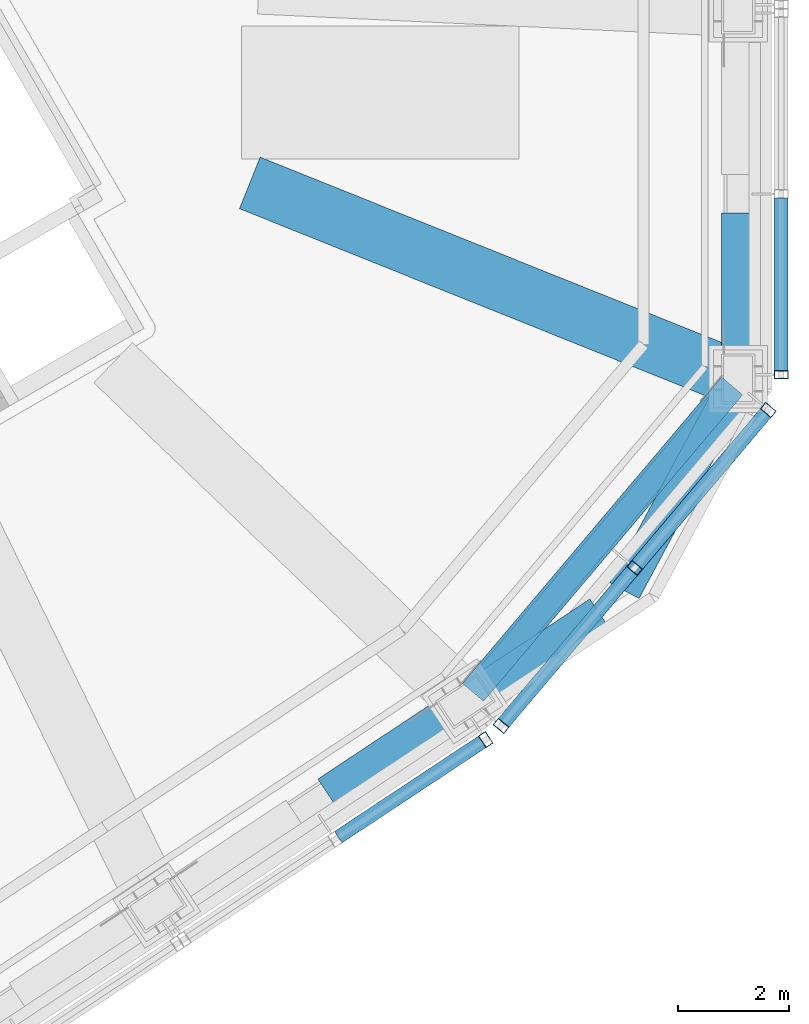
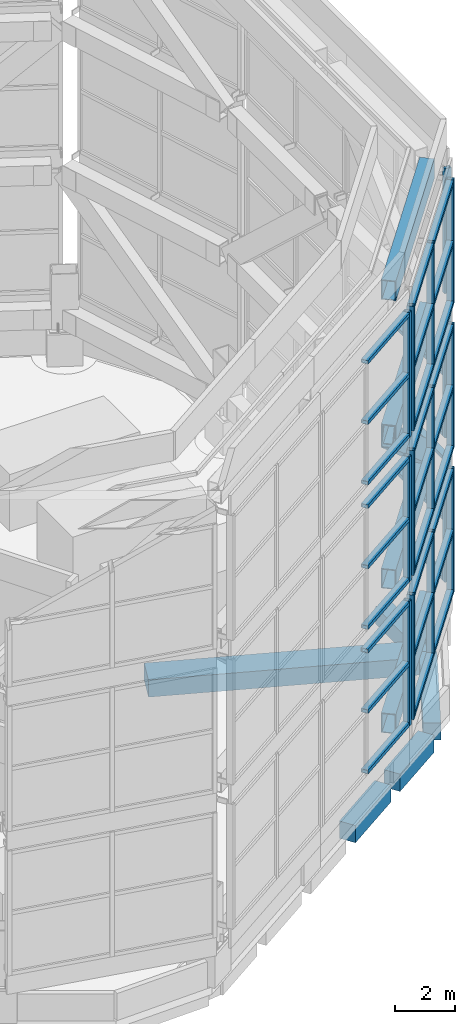
# One storey, part 9 of 46: 52 members, 5 beams, 9 elements without a shape of their own.
"""IFC4 building model written with IfcOpenShell, lengths in metres."""

import ifcopenshell
import ifcopenshell.guid

model = None  # the IFC model being written
_history = None  # IfcOwnerHistory: only IFC2X3 demands one
_inside = {}  # id of a spatial element -> (the spatial element, [elements in it])
_under = {}  # id of a project, library or spatial element -> (it, [spatial elements below it])
_declared = {}  # id of a project -> (the project, [libraries it declares])
_typed = {}  # id of a type object -> (the type object, [elements of that type])
_made_of = {}  # id of a material, layer set ... -> (it, [elements and type objects made of it])


def new_model(schema):
    """Start an empty IFC model of exactly this schema.

    Asked for "IFC4X3", IfcOpenShell would pick the latest addendum, in which some entities
    have other attributes; the version numbers below select the first issue.
    IFC2X3 requires an IfcOwnerHistory on every rooted entity: one is made here for all.
    """
    global model, _history
    if schema == "IFC4X3":
        model = ifcopenshell.file(schema_version=(4, 3, 0, 0))
    else:
        model = ifcopenshell.file(schema=schema)
    _inside.clear()
    _under.clear()
    _declared.clear()
    _typed.clear()
    _made_of.clear()
    _history = None
    if model.schema == "IFC2X3":
        org = make("IfcOrganization", Name="unknown")
        user = make(
            "IfcPersonAndOrganization",
            ThePerson=make("IfcPerson", FamilyName="unknown"),
            TheOrganization=org,
        )
        app = make(
            "IfcApplication",
            ApplicationDeveloper=org,
            Version="unknown",
            ApplicationFullName="unknown",
            ApplicationIdentifier="unknown",
        )
        _history = make(
            "IfcOwnerHistory",
            OwningUser=user,
            OwningApplication=app,
            ChangeAction="ADDED",
            CreationDate=0,
        )
    return model


def make(cls, **values):
    """One entity of the class cls with the attributes given. An attribute that is None is left unset."""
    return model.create_entity(
        cls, **{name: value for name, value in values.items() if value is not None}
    )


def rooted(cls, **values):
    """An entity with a GlobalId (a new one), such as an element, a storey or a relation."""
    return make(cls, GlobalId=ifcopenshell.guid.new(), OwnerHistory=_history, **values)


def si_unit(unit_type, name, prefix=None):
    """IfcSIUnit, for example si_unit("LENGTHUNIT", "METRE", prefix="MILLI")."""
    return make("IfcSIUnit", UnitType=unit_type, Prefix=prefix, Name=name)


def assignment(units):
    """IfcUnitAssignment: the units of a project."""
    return None if units is None else make("IfcUnitAssignment", Units=units)


def point(xyz):
    """IfcCartesianPoint."""
    return None if xyz is None else make("IfcCartesianPoint", Coordinates=xyz)


def direction(xyz):
    """IfcDirection."""
    return None if xyz is None else make("IfcDirection", DirectionRatios=xyz)


def frame(location, z_axis=None, x_axis=None):
    """IfcAxis2Placement3D, a coordinate frame: its origin and axes. An axis left out is left unset."""
    return make(
        "IfcAxis2Placement3D",
        Location=point(location),
        Axis=direction(z_axis),
        RefDirection=direction(x_axis),
    )


def frame_2d(location, x_axis=None):
    """IfcAxis2Placement2D, a coordinate frame in the plane: its origin and x axis."""
    return make(
        "IfcAxis2Placement2D", Location=point(location), RefDirection=direction(x_axis)
    )


def origin():
    """The frame at (0, 0, 0) with its axes left unset."""
    return frame((0.0, 0.0, 0.0))


def origin_2d():
    """The frame at (0, 0) in the plane with its x axis left unset."""
    return frame_2d((0.0, 0.0))


def place(relative_to, where):
    """IfcLocalPlacement: puts the frame where relative to a parent placement (None: the world)."""
    return make(
        "IfcLocalPlacement", PlacementRelTo=relative_to, RelativePlacement=where
    )


def context(
    kind, dimensions, precision=None, world=None, true_north=None, identifier=None
):
    """IfcGeometricRepresentationContext, for example the 3D "Model" context."""
    return make(
        "IfcGeometricRepresentationContext",
        ContextIdentifier=identifier,
        ContextType=kind,
        CoordinateSpaceDimension=dimensions,
        Precision=precision,
        WorldCoordinateSystem=world,
        TrueNorth=true_north,
    )


def subcontext(parent, identifier, kind, view, scale=None):
    """IfcGeometricRepresentationSubContext, for example "Body" below "Model"."""
    return make(
        "IfcGeometricRepresentationSubContext",
        ContextIdentifier=identifier,
        ContextType=kind,
        ParentContext=parent,
        TargetScale=scale,
        TargetView=view,
    )


def project(units=None, contexts=None):
    """IfcProject with its units and contexts."""
    return rooted(
        "IfcProject",
        Name="project",
        RepresentationContexts=contexts,
        UnitsInContext=assignment(units),
    )


def spatial(cls, under=None, at=None, **own):
    """A site, building, storey or space (cls), placed at a placement, below another one or the project."""
    s = rooted(cls, ObjectPlacement=at, **own)
    if under is not None:
        _under.setdefault(under.id(), (under, []))[1].append(s)
    return s


def profile(cls, at=None, kind="AREA", **sizes):
    """A parametric profile (cls). Its sizes go by their IFC names, for example OverallWidth=200.0."""
    return make(cls, ProfileType=kind, Position=at, **sizes)


def rectangle(**sizes):
    """IfcRectangleProfileDef."""
    return profile("IfcRectangleProfileDef", **sizes)


def hollow_rectangle(**sizes):
    """IfcRectangleHollowProfileDef."""
    return profile("IfcRectangleHollowProfileDef", **sizes)


def extrude(swept, where, along, depth):
    """IfcExtrudedAreaSolid: the profile swept, set in the frame where, extruded along a direction by depth."""
    return make(
        "IfcExtrudedAreaSolid",
        SweptArea=swept,
        Position=where,
        ExtrudedDirection=direction(along),
        Depth=depth,
    )


def shape(context_of_items, identifier, shape_type, items):
    """IfcShapeRepresentation: the items that make up one representation, for example the "Body"."""
    return make(
        "IfcShapeRepresentation",
        ContextOfItems=context_of_items,
        RepresentationIdentifier=identifier,
        RepresentationType=shape_type,
        Items=items,
    )


def material(Name=None, Category=None):
    """IfcMaterial."""
    return make("IfcMaterial", Name=Name, Category=Category)


def material_profile(
    of_material, cross_section, Name=None, Category=None, Priority=None
):
    """IfcMaterialProfile: a cross section and its material."""
    return make(
        "IfcMaterialProfile",
        Name=Name,
        Material=of_material,
        Profile=cross_section,
        Priority=Priority,
        Category=Category,
    )


def profile_set(profiles, Name=None, composite=None):
    """IfcMaterialProfileSet."""
    return make(
        "IfcMaterialProfileSet",
        Name=Name,
        MaterialProfiles=profiles,
        CompositeProfile=composite,
    )


def made_of(thing, what):
    """Note that an element or type object is made of a material, layer set ...; save() writes the relation."""
    if what is not None:
        _made_of.setdefault(what.id(), (what, []))[1].append(thing)
    return thing


def type_object(cls, material=None, **own):
    """A type object (cls), such as IfcWallType, which elements share."""
    return made_of(rooted(cls, **own), material)


def element(
    cls,
    number,
    at=None,
    inside=None,
    cuts=None,
    type_object=None,
    material=None,
    context=None,
    identifier="Body",
    shape_type=None,
    held_by="IfcProductDefinitionShape",
    body=None,
    shapes=None,
    **own,
):
    """One element of the class cls, such as IfcWall. Its Tag is "e" and its number.

    at: its placement. inside: the storey or other place that contains it. cuts: it is an
    opening in that element (IfcRelVoidsElement). A single representation is given by context,
    identifier, shape_type and body (its items); several are given by shapes. held_by: the class
    of the entity that holds the representations. save() writes the other relations.
    """
    e = rooted(cls, Tag="e%d" % number, ObjectPlacement=at, **own)
    if body is not None:
        shapes = [shape(context, identifier, shape_type, body)]
    if shapes is not None:
        e.Representation = make(held_by, Representations=shapes)
    if inside is not None:
        _inside.setdefault(inside.id(), (inside, []))[1].append(e)
    if cuts is not None:
        rooted(
            "IfcRelVoidsElement", RelatingBuildingElement=cuts, RelatedOpeningElement=e
        )
    if type_object is not None:
        _typed.setdefault(type_object.id(), (type_object, []))[1].append(e)
    return made_of(e, material)


def aggregate(whole, parts):
    """IfcRelAggregates: a whole, such as a stair, and the parts it consists of."""
    return rooted("IfcRelAggregates", RelatingObject=whole, RelatedObjects=parts)


def save(model, path):
    """Write the relations noted so far, then the file.

    IfcRelAggregates (storeys below a building ...), IfcRelContainedInSpatialStructure (elements
    in a storey), IfcRelDefinesByType, IfcRelAssociatesMaterial and IfcRelDeclares: one each for
    every whole, place, type object, material and project.
    """
    for whole, parts in _under.values():
        aggregate(whole, parts)
    for where, things in _inside.values():
        rooted(
            "IfcRelContainedInSpatialStructure",
            RelatedElements=things,
            RelatingStructure=where,
        )
    for kind, things in _typed.values():
        rooted("IfcRelDefinesByType", RelatedObjects=things, RelatingType=kind)
    for what, things in _made_of.values():
        rooted("IfcRelAssociatesMaterial", RelatedObjects=things, RelatingMaterial=what)
    for by, libraries in _declared.values():
        rooted("IfcRelDeclares", RelatingContext=by, RelatedDefinitions=libraries)
    model.write(path)


model = new_model("IFC4")

# Units and contexts
model_context = context("Model", 3, precision=1e-05, world=origin(), true_north=direction((0.0, 1.0)))
body_context = subcontext(model_context, "Body", "Model", "MODEL_VIEW")
ifc_project = project(units=[si_unit("LENGTHUNIT", "METRE"), si_unit("AREAUNIT", "SQUARE_METRE"), si_unit("VOLUMEUNIT", "CUBIC_METRE"), si_unit("PLANEANGLEUNIT", "RADIAN"), si_unit("MASSUNIT", "GRAM", prefix="KILO")], contexts=[model_context])

# Site, building, storey
site_placement = place(None, origin())
site = spatial("IfcSite", under=ifc_project, at=site_placement, CompositionType="ELEMENT")
building_placement = place(site_placement, origin())
building = spatial("IfcBuilding", under=site, at=building_placement, Name="Vanh Sen Convention Tower", CompositionType="ELEMENT")
storey_placement = place(building_placement, frame((0.0, 0.0, 305.0)))
storey = spatial("IfcBuildingStorey", under=building, at=storey_placement, Name="Roof level", CompositionType="ELEMENT", Elevation=305.0)

# Members
ifc_material_1 = material(Name="Steel S460", Category="steel")
ifc_material_profile_1 = material_profile(ifc_material_1, hollow_rectangle(XDim=0.39990234375, YDim=0.800048828125, WallThickness=0.02490234375, at=origin_2d()), Name="BOX 800X400X25")
ifc_profile_set_1 = profile_set([ifc_material_profile_1], Name="Steel S460")
member_type_1 = type_object("IfcMemberType", Name="Crown brace BOX 800X400X25", PredefinedType="BRACE", material=ifc_profile_set_1)
member_1_placement = place(storey_placement, frame((13.97900390625, -13.246826171875, 13.481689453125), z_axis=(0.508245357566, 0.600921921024, -0.61691125889), x_axis=(-0.76352851355, 0.645774116077, 0.0)))
element("IfcMember", 1, at=member_1_placement, inside=storey, type_object=member_type_1, Name="CROWN FRAME brace tier 2 span 18", PredefinedType="BRACE", context=body_context, shape_type="SweptSolid", body=[
    extrude(hollow_rectangle(XDim=0.39990234375, YDim=0.800048828125, WallThickness=0.02490234375, at=origin_2d()), origin(), (0.0, 0.0, 1.0), 9.512451171875),
])
ifc_material_profile_2 = material_profile(ifc_material_1, hollow_rectangle(XDim=0.5, YDim=0.800048828125, WallThickness=0.030029296875, at=origin_2d()), Name="BOX 800X500X30")
ifc_profile_set_2 = profile_set([ifc_material_profile_2], Name="Steel S460")
member_type_2 = type_object("IfcMemberType", Name="Crown ring beam BOX 800X500X30", PredefinedType="CHORD", material=ifc_profile_set_2)
for number, where, z_axis, x_axis, name in (
    (2, (14.0263671875, -13.19091796875, 1.7451171875), (0.645762046347, 0.763538721676, 0.0), (-0.763538721676, 0.645762046347, 0.0), "CROWN FRAME ring beam 1 span 18"),
    (3, (14.0263671875, -13.19091796875, 7.61328125), (0.645762046347, 0.763538721676, 0.0), (-0.763538721676, 0.645762046347, 0.0), "CROWN FRAME ring beam 2 span 18"),
    (4, (14.0263671875, -13.19091796875, 13.481689453125), (0.645762046347, 0.763538721676, 0.0), (-0.763538721676, 0.645762046347, 0.0), "CROWN FRAME ring beam 3 span 18"),
    (5, (14.0263671875, -13.19091796875, 19.35009765625), (0.645762046347, 0.763538721676, 0.0), (-0.763538721676, 0.645762046347, 0.0), "CROWN FRAME ring beam 4 span 18"),
):
    element("IfcMember", number, at=place(storey_placement, frame(where, z_axis=z_axis, x_axis=x_axis)), inside=storey, type_object=member_type_2, Name=name, PredefinedType="CHORD", context=body_context, shape_type="SweptSolid", body=[
        extrude(hollow_rectangle(XDim=0.5, YDim=0.800048828125, WallThickness=0.030029296875, at=origin_2d()), origin(), (0.0, 0.0, 1.0), 7.228271484375),
    ])

# Curtain wall, member
ifc_material_2 = material(Name="Concrete C60/75", Category="concrete")
curtain_wall_type = type_object("IfcCurtainWallType", Name="Crown screen", PredefinedType="NOTDEFINED", material=ifc_material_2)
curtain_wall_1_placement = place(storey_placement, origin())
curtain_wall_1 = element("IfcCurtainWall", 6, at=curtain_wall_1_placement, inside=storey, type_object=curtain_wall_type, Name="CROWN SCREEN 01 tier 1", PredefinedType="NOTDEFINED")
ifc_material_3 = material(Name="Steel S355", Category="steel")
ifc_material_profile_3 = material_profile(ifc_material_3, hollow_rectangle(XDim=0.25, YDim=0.14990234375, WallThickness=0.008056640625, at=origin_2d()), Name="RHS 250X150X8")
ifc_profile_set_3 = profile_set([ifc_material_profile_3], Name="Steel S355")
member_type_3 = type_object("IfcMemberType", Name="Crown screen mullion RHS 250X150X8", PredefinedType="MULLION", material=ifc_profile_set_3)
member_2_placement = place(storey_placement, frame((19.574951171875, -7.4716796875, 2.14501953125), z_axis=(0.0, 0.0, 1.0), x_axis=(-1.0, 0.0, 0.0)))
member_2 = element("IfcMember", 7, at=member_2_placement, type_object=member_type_3, Name="CROWN SCREEN6 mullion 1", PredefinedType="MULLION", context=body_context, shape_type="SweptSolid", body=[
    extrude(hollow_rectangle(XDim=0.25, YDim=0.14990234375, WallThickness=0.008056640625, at=origin_2d()), origin(), (0.0, 0.0, 1.0), 5.068359375),
])

curtain_wall_2_placement = place(storey_placement, origin())
curtain_wall_2 = element("IfcCurtainWall", 8, at=curtain_wall_2_placement, inside=storey, type_object=curtain_wall_type, Name="CROWN SCREEN 01 tier 2", PredefinedType="NOTDEFINED")
member_3_placement = place(storey_placement, frame((19.574951171875, -7.4716796875, 8.01318359375), z_axis=(0.0, 0.0, 1.0), x_axis=(-1.0, 0.0, 0.0)))
member_3 = element("IfcMember", 9, at=member_3_placement, type_object=member_type_3, Name="CROWN SCREEN6 mullion 1", PredefinedType="MULLION", context=body_context, shape_type="SweptSolid", body=[
    extrude(hollow_rectangle(XDim=0.25, YDim=0.14990234375, WallThickness=0.008056640625, at=origin_2d()), origin(), (0.0, 0.0, 1.0), 5.068603515625),
])

curtain_wall_3_placement = place(storey_placement, origin())
curtain_wall_3 = element("IfcCurtainWall", 10, at=curtain_wall_3_placement, inside=storey, type_object=curtain_wall_type, Name="CROWN SCREEN 01 tier 3", PredefinedType="NOTDEFINED")
member_4_placement = place(storey_placement, frame((19.574951171875, -7.4716796875, 13.881591796875), z_axis=(0.0, 0.0, 1.0), x_axis=(-1.0, 0.0, 0.0)))
member_4 = element("IfcMember", 11, at=member_4_placement, type_object=member_type_3, Name="CROWN SCREEN6 mullion 1", PredefinedType="MULLION", context=body_context, shape_type="SweptSolid", body=[
    extrude(hollow_rectangle(XDim=0.25, YDim=0.14990234375, WallThickness=0.008056640625, at=origin_2d()), origin(), (0.0, 0.0, 1.0), 5.068359375),
])
aggregate(curtain_wall_3, [member_4])

curtain_wall_4_placement = place(storey_placement, origin())
curtain_wall_4 = element("IfcCurtainWall", 12, at=curtain_wall_4_placement, inside=storey, type_object=curtain_wall_type, Name="CROWN SCREEN 17 tier 1", PredefinedType="NOTDEFINED")
member_5_placement = place(storey_placement, frame((14.256591796875, -14.038330078125, 2.14501953125), z_axis=(0.0, 0.0, 1.0), x_axis=(-0.551936888033, 0.833885886455, 0.0)))
member_5 = element("IfcMember", 13, at=member_5_placement, type_object=member_type_3, Name="CROWN SCREEN6 mullion 3", PredefinedType="MULLION", context=body_context, shape_type="SweptSolid", body=[
    extrude(hollow_rectangle(XDim=0.25, YDim=0.14990234375, WallThickness=0.008056640625, at=origin_2d()), origin(), (0.0, 0.0, 1.0), 5.068359375),
])

curtain_wall_5_placement = place(storey_placement, origin())
curtain_wall_5 = element("IfcCurtainWall", 14, at=curtain_wall_5_placement, inside=storey, type_object=curtain_wall_type, Name="CROWN SCREEN 17 tier 2", PredefinedType="NOTDEFINED")
member_6_placement = place(storey_placement, frame((14.256591796875, -14.038330078125, 8.01318359375), z_axis=(0.0, 0.0, 1.0), x_axis=(-0.551936888033, 0.833885886455, 0.0)))
member_6 = element("IfcMember", 15, at=member_6_placement, type_object=member_type_3, Name="CROWN SCREEN6 mullion 3", PredefinedType="MULLION", context=body_context, shape_type="SweptSolid", body=[
    extrude(hollow_rectangle(XDim=0.25, YDim=0.14990234375, WallThickness=0.008056640625, at=origin_2d()), origin(), (0.0, 0.0, 1.0), 5.068603515625),
])

curtain_wall_6_placement = place(storey_placement, origin())
curtain_wall_6 = element("IfcCurtainWall", 16, at=curtain_wall_6_placement, inside=storey, type_object=curtain_wall_type, Name="CROWN SCREEN 17 tier 3", PredefinedType="NOTDEFINED")
member_7_placement = place(storey_placement, frame((14.256591796875, -14.038330078125, 13.881591796875), z_axis=(0.0, 0.0, 1.0), x_axis=(-0.551936888033, 0.833885886455, 0.0)))
member_7 = element("IfcMember", 17, at=member_7_placement, type_object=member_type_3, Name="CROWN SCREEN6 mullion 3", PredefinedType="MULLION", context=body_context, shape_type="SweptSolid", body=[
    extrude(hollow_rectangle(XDim=0.25, YDim=0.14990234375, WallThickness=0.008056640625, at=origin_2d()), origin(), (0.0, 0.0, 1.0), 5.068359375),
])

# Curtain wall, members
curtain_wall_7_placement = place(storey_placement, origin())
curtain_wall_7 = element("IfcCurtainWall", 18, at=curtain_wall_7_placement, inside=storey, type_object=curtain_wall_type, Name="CROWN SCREEN 18 tier 1", PredefinedType="NOTDEFINED")
member_8_placement = place(storey_placement, frame((14.531494140625, -13.7939453125, 2.14501953125), z_axis=(0.0, 0.0, 1.0), x_axis=(-0.763534968223, 0.645766484343, 0.0)))
member_8 = element("IfcMember", 19, at=member_8_placement, type_object=member_type_3, Name="CROWN SCREEN6 mullion 1", PredefinedType="MULLION", context=body_context, shape_type="SweptSolid", body=[
    extrude(hollow_rectangle(XDim=0.25, YDim=0.14990234375, WallThickness=0.008056640625, at=origin_2d()), origin(), (0.0, 0.0, 1.0), 5.068359375),
])
member_9_placement = place(storey_placement, frame((16.937255859375, -10.94921875, 2.14501953125), z_axis=(0.0, 0.0, 1.0), x_axis=(-0.763534968223, 0.645766484343, 0.0)))
member_9 = element("IfcMember", 20, at=member_9_placement, type_object=member_type_3, Name="CROWN SCREEN6 mullion 2", PredefinedType="MULLION", context=body_context, shape_type="SweptSolid", body=[
    extrude(hollow_rectangle(XDim=0.25, YDim=0.14990234375, WallThickness=0.008056640625, at=origin_2d()), origin(), (0.0, 0.0, 1.0), 5.068359375),
])
member_10_placement = place(storey_placement, frame((19.34326171875, -8.1044921875, 2.14501953125), z_axis=(0.0, 0.0, 1.0), x_axis=(-0.763534968223, 0.645766484343, 0.0)))
member_10 = element("IfcMember", 21, at=member_10_placement, type_object=member_type_3, Name="CROWN SCREEN6 mullion 3", PredefinedType="MULLION", context=body_context, shape_type="SweptSolid", body=[
    extrude(hollow_rectangle(XDim=0.25, YDim=0.14990234375, WallThickness=0.008056640625, at=origin_2d()), origin(), (0.0, 0.0, 1.0), 5.068359375),
])

curtain_wall_8_placement = place(storey_placement, origin())
curtain_wall_8 = element("IfcCurtainWall", 22, at=curtain_wall_8_placement, inside=storey, type_object=curtain_wall_type, Name="CROWN SCREEN 18 tier 2", PredefinedType="NOTDEFINED")
member_11_placement = place(storey_placement, frame((14.531494140625, -13.7939453125, 8.01318359375), z_axis=(0.0, 0.0, 1.0), x_axis=(-0.763534968223, 0.645766484343, 0.0)))
member_11 = element("IfcMember", 23, at=member_11_placement, type_object=member_type_3, Name="CROWN SCREEN6 mullion 1", PredefinedType="MULLION", context=body_context, shape_type="SweptSolid", body=[
    extrude(hollow_rectangle(XDim=0.25, YDim=0.14990234375, WallThickness=0.008056640625, at=origin_2d()), origin(), (0.0, 0.0, 1.0), 5.068603515625),
])
member_12_placement = place(storey_placement, frame((16.937255859375, -10.94921875, 8.01318359375), z_axis=(0.0, 0.0, 1.0), x_axis=(-0.763534968223, 0.645766484343, 0.0)))
member_12 = element("IfcMember", 24, at=member_12_placement, type_object=member_type_3, Name="CROWN SCREEN6 mullion 2", PredefinedType="MULLION", context=body_context, shape_type="SweptSolid", body=[
    extrude(hollow_rectangle(XDim=0.25, YDim=0.14990234375, WallThickness=0.008056640625, at=origin_2d()), origin(), (0.0, 0.0, 1.0), 5.068603515625),
])
member_13_placement = place(storey_placement, frame((19.34326171875, -8.1044921875, 8.01318359375), z_axis=(0.0, 0.0, 1.0), x_axis=(-0.763534968223, 0.645766484343, 0.0)))
member_13 = element("IfcMember", 25, at=member_13_placement, type_object=member_type_3, Name="CROWN SCREEN6 mullion 3", PredefinedType="MULLION", context=body_context, shape_type="SweptSolid", body=[
    extrude(hollow_rectangle(XDim=0.25, YDim=0.14990234375, WallThickness=0.008056640625, at=origin_2d()), origin(), (0.0, 0.0, 1.0), 5.068603515625),
])

curtain_wall_9_placement = place(storey_placement, origin())
curtain_wall_9 = element("IfcCurtainWall", 26, at=curtain_wall_9_placement, inside=storey, type_object=curtain_wall_type, Name="CROWN SCREEN 18 tier 3", PredefinedType="NOTDEFINED")
member_14_placement = place(storey_placement, frame((14.531494140625, -13.7939453125, 13.881591796875), z_axis=(0.0, 0.0, 1.0), x_axis=(-0.763534968223, 0.645766484343, 0.0)))
member_14 = element("IfcMember", 27, at=member_14_placement, type_object=member_type_3, Name="CROWN SCREEN6 mullion 1", PredefinedType="MULLION", context=body_context, shape_type="SweptSolid", body=[
    extrude(hollow_rectangle(XDim=0.25, YDim=0.14990234375, WallThickness=0.008056640625, at=origin_2d()), origin(), (0.0, 0.0, 1.0), 5.068359375),
])
member_15_placement = place(storey_placement, frame((16.937255859375, -10.94921875, 13.881591796875), z_axis=(0.0, 0.0, 1.0), x_axis=(-0.763534968223, 0.645766484343, 0.0)))
member_15 = element("IfcMember", 28, at=member_15_placement, type_object=member_type_3, Name="CROWN SCREEN6 mullion 2", PredefinedType="MULLION", context=body_context, shape_type="SweptSolid", body=[
    extrude(hollow_rectangle(XDim=0.25, YDim=0.14990234375, WallThickness=0.008056640625, at=origin_2d()), origin(), (0.0, 0.0, 1.0), 5.068359375),
])
member_16_placement = place(storey_placement, frame((19.34326171875, -8.1044921875, 13.881591796875), z_axis=(0.0, 0.0, 1.0), x_axis=(-0.763534968223, 0.645766484343, 0.0)))
member_16 = element("IfcMember", 29, at=member_16_placement, type_object=member_type_3, Name="CROWN SCREEN6 mullion 3", PredefinedType="MULLION", context=body_context, shape_type="SweptSolid", body=[
    extrude(hollow_rectangle(XDim=0.25, YDim=0.14990234375, WallThickness=0.008056640625, at=origin_2d()), origin(), (0.0, 0.0, 1.0), 5.068359375),
])

# Member
ifc_material_profile_4 = material_profile(ifc_material_3, hollow_rectangle(XDim=0.25, YDim=0.14990234375, WallThickness=0.008056640625, at=origin_2d()), Name="RHS 250X150X8")
ifc_profile_set_4 = profile_set([ifc_material_profile_4], Name="Steel S355")
member_type_4 = type_object("IfcMemberType", Name="Crown screen transom RHS 250X150X8", PredefinedType="USERDEFINED", material=ifc_profile_set_4)
member_17_placement = place(storey_placement, frame((19.574951171875, -7.396728515625, 2.219970703125), z_axis=(0.0, 1.0, 0.0), x_axis=(-1.0, 0.0, 0.0)))
member_17 = element("IfcMember", 30, at=member_17_placement, type_object=member_type_4, Name="CROWN SCREEN6 transom 1.1", ObjectType="TRANSOM", PredefinedType="USERDEFINED", context=body_context, shape_type="SweptSolid", body=[
    extrude(hollow_rectangle(XDim=0.25, YDim=0.14990234375, WallThickness=0.008056640625, at=origin_2d()), origin(), (0.0, 0.0, 1.0), 3.106689453125),
])

member_18_placement = place(storey_placement, frame((19.574951171875, -7.396728515625, 4.67919921875), z_axis=(0.0, 1.0, 0.0), x_axis=(-1.0, 0.0, 0.0)))
member_18 = element("IfcMember", 31, at=member_18_placement, type_object=member_type_4, Name="CROWN SCREEN6 transom 1.2", ObjectType="TRANSOM", PredefinedType="USERDEFINED", context=body_context, shape_type="SweptSolid", body=[
    extrude(hollow_rectangle(XDim=0.25, YDim=0.14990234375, WallThickness=0.008056640625, at=origin_2d()), origin(), (0.0, 0.0, 1.0), 3.106689453125),
])

member_19_placement = place(storey_placement, frame((19.574951171875, -7.396728515625, 7.13818359375), z_axis=(0.0, 1.0, 0.0), x_axis=(-1.0, 0.0, 0.0)))
member_19 = element("IfcMember", 32, at=member_19_placement, type_object=member_type_4, Name="CROWN SCREEN6 transom 1.3", ObjectType="TRANSOM", PredefinedType="USERDEFINED", context=body_context, shape_type="SweptSolid", body=[
    extrude(hollow_rectangle(XDim=0.25, YDim=0.14990234375, WallThickness=0.008056640625, at=origin_2d()), origin(), (0.0, 0.0, 1.0), 3.106689453125),
])

aggregate(curtain_wall_1, [member_2, member_17, member_18, member_19])

member_20_placement = place(storey_placement, frame((19.574951171875, -7.396728515625, 8.08837890625), z_axis=(0.0, 1.0, 0.0), x_axis=(-1.0, 0.0, 0.0)))
member_20 = element("IfcMember", 33, at=member_20_placement, type_object=member_type_4, Name="CROWN SCREEN6 transom 1.1", ObjectType="TRANSOM", PredefinedType="USERDEFINED", context=body_context, shape_type="SweptSolid", body=[
    extrude(hollow_rectangle(XDim=0.25, YDim=0.14990234375, WallThickness=0.008056640625, at=origin_2d()), origin(), (0.0, 0.0, 1.0), 3.106689453125),
])

member_21_placement = place(storey_placement, frame((19.574951171875, -7.396728515625, 10.547607421875), z_axis=(0.0, 1.0, 0.0), x_axis=(-1.0, 0.0, 0.0)))
member_21 = element("IfcMember", 34, at=member_21_placement, type_object=member_type_4, Name="CROWN SCREEN6 transom 1.2", ObjectType="TRANSOM", PredefinedType="USERDEFINED", context=body_context, shape_type="SweptSolid", body=[
    extrude(hollow_rectangle(XDim=0.25, YDim=0.14990234375, WallThickness=0.008056640625, at=origin_2d()), origin(), (0.0, 0.0, 1.0), 3.106689453125),
])

aggregate(curtain_wall_2, [member_3, member_20, member_21])

member_22_placement = place(storey_placement, frame((11.603515625, -15.79443359375, 2.219970703125), z_axis=(0.833859334421, 0.551977001694, 0.0), x_axis=(-0.551977001694, 0.833859334421, 0.0)))
member_22 = element("IfcMember", 35, at=member_22_placement, type_object=member_type_4, Name="CROWN SCREEN6 transom 2.1", ObjectType="TRANSOM", PredefinedType="USERDEFINED", context=body_context, shape_type="SweptSolid", body=[
    extrude(hollow_rectangle(XDim=0.25, YDim=0.14990234375, WallThickness=0.008056640625, at=origin_2d()), origin(), (0.0, 0.0, 1.0), 3.106689453125),
])

member_23_placement = place(storey_placement, frame((11.603515625, -15.79443359375, 4.67919921875), z_axis=(0.833859334421, 0.551977001694, 0.0), x_axis=(-0.551977001694, 0.833859334421, 0.0)))
member_23 = element("IfcMember", 36, at=member_23_placement, type_object=member_type_4, Name="CROWN SCREEN6 transom 2.2", ObjectType="TRANSOM", PredefinedType="USERDEFINED", context=body_context, shape_type="SweptSolid", body=[
    extrude(hollow_rectangle(XDim=0.25, YDim=0.14990234375, WallThickness=0.008056640625, at=origin_2d()), origin(), (0.0, 0.0, 1.0), 3.106689453125),
])

member_24_placement = place(storey_placement, frame((11.603515625, -15.79443359375, 7.13818359375), z_axis=(0.833859334421, 0.551977001694, 0.0), x_axis=(-0.551977001694, 0.833859334421, 0.0)))
member_24 = element("IfcMember", 37, at=member_24_placement, type_object=member_type_4, Name="CROWN SCREEN6 transom 2.3", ObjectType="TRANSOM", PredefinedType="USERDEFINED", context=body_context, shape_type="SweptSolid", body=[
    extrude(hollow_rectangle(XDim=0.25, YDim=0.14990234375, WallThickness=0.008056640625, at=origin_2d()), origin(), (0.0, 0.0, 1.0), 3.106689453125),
])

aggregate(curtain_wall_4, [member_5, member_22, member_23, member_24])

member_25_placement = place(storey_placement, frame((11.603515625, -15.79443359375, 8.08837890625), z_axis=(0.833859334421, 0.551977001694, 0.0), x_axis=(-0.551977001694, 0.833859334421, 0.0)))
member_25 = element("IfcMember", 38, at=member_25_placement, type_object=member_type_4, Name="CROWN SCREEN6 transom 2.1", ObjectType="TRANSOM", PredefinedType="USERDEFINED", context=body_context, shape_type="SweptSolid", body=[
    extrude(hollow_rectangle(XDim=0.25, YDim=0.14990234375, WallThickness=0.008056640625, at=origin_2d()), origin(), (0.0, 0.0, 1.0), 3.106689453125),
])

member_26_placement = place(storey_placement, frame((11.603515625, -15.79443359375, 10.547607421875), z_axis=(0.833859334421, 0.551977001694, 0.0), x_axis=(-0.551977001694, 0.833859334421, 0.0)))
member_26 = element("IfcMember", 39, at=member_26_placement, type_object=member_type_4, Name="CROWN SCREEN6 transom 2.2", ObjectType="TRANSOM", PredefinedType="USERDEFINED", context=body_context, shape_type="SweptSolid", body=[
    extrude(hollow_rectangle(XDim=0.25, YDim=0.14990234375, WallThickness=0.008056640625, at=origin_2d()), origin(), (0.0, 0.0, 1.0), 3.106689453125),
])

member_27_placement = place(storey_placement, frame((11.603515625, -15.79443359375, 13.006591796875), z_axis=(0.833859334421, 0.551977001694, 0.0), x_axis=(-0.551977001694, 0.833859334421, 0.0)))
member_27 = element("IfcMember", 40, at=member_27_placement, type_object=member_type_4, Name="CROWN SCREEN6 transom 2.3", ObjectType="TRANSOM", PredefinedType="USERDEFINED", context=body_context, shape_type="SweptSolid", body=[
    extrude(hollow_rectangle(XDim=0.25, YDim=0.14990234375, WallThickness=0.008056640625, at=origin_2d()), origin(), (0.0, 0.0, 1.0), 3.106689453125),
])

aggregate(curtain_wall_5, [member_6, member_25, member_26, member_27])

member_28_placement = place(storey_placement, frame((11.603515625, -15.79443359375, 13.956787109375), z_axis=(0.833859334421, 0.551977001694, 0.0), x_axis=(-0.551977001694, 0.833859334421, 0.0)))
member_28 = element("IfcMember", 41, at=member_28_placement, type_object=member_type_4, Name="CROWN SCREEN6 transom 2.1", ObjectType="TRANSOM", PredefinedType="USERDEFINED", context=body_context, shape_type="SweptSolid", body=[
    extrude(hollow_rectangle(XDim=0.25, YDim=0.14990234375, WallThickness=0.008056640625, at=origin_2d()), origin(), (0.0, 0.0, 1.0), 3.106689453125),
])

member_29_placement = place(storey_placement, frame((11.603515625, -15.79443359375, 16.415771484375), z_axis=(0.833859334421, 0.551977001694, 0.0), x_axis=(-0.551977001694, 0.833859334421, 0.0)))
member_29 = element("IfcMember", 42, at=member_29_placement, type_object=member_type_4, Name="CROWN SCREEN6 transom 2.2", ObjectType="TRANSOM", PredefinedType="USERDEFINED", context=body_context, shape_type="SweptSolid", body=[
    extrude(hollow_rectangle(XDim=0.25, YDim=0.14990234375, WallThickness=0.008056640625, at=origin_2d()), origin(), (0.0, 0.0, 1.0), 3.106689453125),
])

member_30_placement = place(storey_placement, frame((11.603515625, -15.79443359375, 18.875), z_axis=(0.833859334421, 0.551977001694, 0.0), x_axis=(-0.551977001694, 0.833859334421, 0.0)))
member_30 = element("IfcMember", 43, at=member_30_placement, type_object=member_type_4, Name="CROWN SCREEN6 transom 2.3", ObjectType="TRANSOM", PredefinedType="USERDEFINED", context=body_context, shape_type="SweptSolid", body=[
    extrude(hollow_rectangle(XDim=0.25, YDim=0.14990234375, WallThickness=0.008056640625, at=origin_2d()), origin(), (0.0, 0.0, 1.0), 3.106689453125),
])

aggregate(curtain_wall_6, [member_7, member_28, member_29, member_30])

member_31_placement = place(storey_placement, frame((14.579833984375, -13.736572265625, 2.219970703125), z_axis=(0.645761643122, 0.763539062702, 0.0), x_axis=(-0.763539062702, 0.645761643122, 0.0)))
member_31 = element("IfcMember", 44, at=member_31_placement, type_object=member_type_4, Name="CROWN SCREEN6 transom 1.1", ObjectType="TRANSOM", PredefinedType="USERDEFINED", context=body_context, shape_type="SweptSolid", body=[
    extrude(hollow_rectangle(XDim=0.25, YDim=0.14990234375, WallThickness=0.008056640625, at=origin_2d()), origin(), (0.0, 0.0, 1.0), 3.57568359375),
])

member_32_placement = place(storey_placement, frame((14.579833984375, -13.736572265625, 4.67919921875), z_axis=(0.645761643122, 0.763539062702, 0.0), x_axis=(-0.763539062702, 0.645761643122, 0.0)))
member_32 = element("IfcMember", 45, at=member_32_placement, type_object=member_type_4, Name="CROWN SCREEN6 transom 1.2", ObjectType="TRANSOM", PredefinedType="USERDEFINED", context=body_context, shape_type="SweptSolid", body=[
    extrude(hollow_rectangle(XDim=0.25, YDim=0.14990234375, WallThickness=0.008056640625, at=origin_2d()), origin(), (0.0, 0.0, 1.0), 3.57568359375),
])

member_33_placement = place(storey_placement, frame((14.579833984375, -13.736572265625, 7.13818359375), z_axis=(0.645761643122, 0.763539062702, 0.0), x_axis=(-0.763539062702, 0.645761643122, 0.0)))
member_33 = element("IfcMember", 46, at=member_33_placement, type_object=member_type_4, Name="CROWN SCREEN6 transom 1.3", ObjectType="TRANSOM", PredefinedType="USERDEFINED", context=body_context, shape_type="SweptSolid", body=[
    extrude(hollow_rectangle(XDim=0.25, YDim=0.14990234375, WallThickness=0.008056640625, at=origin_2d()), origin(), (0.0, 0.0, 1.0), 3.57568359375),
])

member_34_placement = place(storey_placement, frame((16.98583984375, -10.891845703125, 2.219970703125), z_axis=(0.645761643122, 0.763539062702, 0.0), x_axis=(-0.763539062702, 0.645761643122, 0.0)))
member_34 = element("IfcMember", 47, at=member_34_placement, type_object=member_type_4, Name="CROWN SCREEN6 transom 2.1", ObjectType="TRANSOM", PredefinedType="USERDEFINED", context=body_context, shape_type="SweptSolid", body=[
    extrude(hollow_rectangle(XDim=0.25, YDim=0.14990234375, WallThickness=0.008056640625, at=origin_2d()), origin(), (0.0, 0.0, 1.0), 3.57568359375),
])

member_35_placement = place(storey_placement, frame((16.98583984375, -10.891845703125, 4.67919921875), z_axis=(0.645761643122, 0.763539062702, 0.0), x_axis=(-0.763539062702, 0.645761643122, 0.0)))
member_35 = element("IfcMember", 48, at=member_35_placement, type_object=member_type_4, Name="CROWN SCREEN6 transom 2.2", ObjectType="TRANSOM", PredefinedType="USERDEFINED", context=body_context, shape_type="SweptSolid", body=[
    extrude(hollow_rectangle(XDim=0.25, YDim=0.14990234375, WallThickness=0.008056640625, at=origin_2d()), origin(), (0.0, 0.0, 1.0), 3.57568359375),
])

member_36_placement = place(storey_placement, frame((16.98583984375, -10.891845703125, 7.13818359375), z_axis=(0.645761643122, 0.763539062702, 0.0), x_axis=(-0.763539062702, 0.645761643122, 0.0)))
member_36 = element("IfcMember", 49, at=member_36_placement, type_object=member_type_4, Name="CROWN SCREEN6 transom 2.3", ObjectType="TRANSOM", PredefinedType="USERDEFINED", context=body_context, shape_type="SweptSolid", body=[
    extrude(hollow_rectangle(XDim=0.25, YDim=0.14990234375, WallThickness=0.008056640625, at=origin_2d()), origin(), (0.0, 0.0, 1.0), 3.57568359375),
])

aggregate(curtain_wall_7, [member_8, member_9, member_10, member_31, member_32, member_33, member_34, member_35, member_36])

member_37_placement = place(storey_placement, frame((14.579833984375, -13.736572265625, 8.08837890625), z_axis=(0.645761643122, 0.763539062702, 0.0), x_axis=(-0.763539062702, 0.645761643122, 0.0)))
member_37 = element("IfcMember", 50, at=member_37_placement, type_object=member_type_4, Name="CROWN SCREEN6 transom 1.1", ObjectType="TRANSOM", PredefinedType="USERDEFINED", context=body_context, shape_type="SweptSolid", body=[
    extrude(hollow_rectangle(XDim=0.25, YDim=0.14990234375, WallThickness=0.008056640625, at=origin_2d()), origin(), (0.0, 0.0, 1.0), 3.57568359375),
])

member_38_placement = place(storey_placement, frame((14.579833984375, -13.736572265625, 10.547607421875), z_axis=(0.645761643122, 0.763539062702, 0.0), x_axis=(-0.763539062702, 0.645761643122, 0.0)))
member_38 = element("IfcMember", 51, at=member_38_placement, type_object=member_type_4, Name="CROWN SCREEN6 transom 1.2", ObjectType="TRANSOM", PredefinedType="USERDEFINED", context=body_context, shape_type="SweptSolid", body=[
    extrude(hollow_rectangle(XDim=0.25, YDim=0.14990234375, WallThickness=0.008056640625, at=origin_2d()), origin(), (0.0, 0.0, 1.0), 3.57568359375),
])

member_39_placement = place(storey_placement, frame((14.579833984375, -13.736572265625, 13.006591796875), z_axis=(0.645761643122, 0.763539062702, 0.0), x_axis=(-0.763539062702, 0.645761643122, 0.0)))
member_39 = element("IfcMember", 52, at=member_39_placement, type_object=member_type_4, Name="CROWN SCREEN6 transom 1.3", ObjectType="TRANSOM", PredefinedType="USERDEFINED", context=body_context, shape_type="SweptSolid", body=[
    extrude(hollow_rectangle(XDim=0.25, YDim=0.14990234375, WallThickness=0.008056640625, at=origin_2d()), origin(), (0.0, 0.0, 1.0), 3.57568359375),
])

member_40_placement = place(storey_placement, frame((16.98583984375, -10.891845703125, 8.08837890625), z_axis=(0.645761643122, 0.763539062702, 0.0), x_axis=(-0.763539062702, 0.645761643122, 0.0)))
member_40 = element("IfcMember", 53, at=member_40_placement, type_object=member_type_4, Name="CROWN SCREEN6 transom 2.1", ObjectType="TRANSOM", PredefinedType="USERDEFINED", context=body_context, shape_type="SweptSolid", body=[
    extrude(hollow_rectangle(XDim=0.25, YDim=0.14990234375, WallThickness=0.008056640625, at=origin_2d()), origin(), (0.0, 0.0, 1.0), 3.57568359375),
])

member_41_placement = place(storey_placement, frame((16.98583984375, -10.891845703125, 10.547607421875), z_axis=(0.645761643122, 0.763539062702, 0.0), x_axis=(-0.763539062702, 0.645761643122, 0.0)))
member_41 = element("IfcMember", 54, at=member_41_placement, type_object=member_type_4, Name="CROWN SCREEN6 transom 2.2", ObjectType="TRANSOM", PredefinedType="USERDEFINED", context=body_context, shape_type="SweptSolid", body=[
    extrude(hollow_rectangle(XDim=0.25, YDim=0.14990234375, WallThickness=0.008056640625, at=origin_2d()), origin(), (0.0, 0.0, 1.0), 3.57568359375),
])

member_42_placement = place(storey_placement, frame((16.98583984375, -10.891845703125, 13.006591796875), z_axis=(0.645761643122, 0.763539062702, 0.0), x_axis=(-0.763539062702, 0.645761643122, 0.0)))
member_42 = element("IfcMember", 55, at=member_42_placement, type_object=member_type_4, Name="CROWN SCREEN6 transom 2.3", ObjectType="TRANSOM", PredefinedType="USERDEFINED", context=body_context, shape_type="SweptSolid", body=[
    extrude(hollow_rectangle(XDim=0.25, YDim=0.14990234375, WallThickness=0.008056640625, at=origin_2d()), origin(), (0.0, 0.0, 1.0), 3.57568359375),
])

aggregate(curtain_wall_8, [member_11, member_12, member_13, member_37, member_38, member_39, member_40, member_41, member_42])

member_43_placement = place(storey_placement, frame((14.579833984375, -13.736572265625, 13.956787109375), z_axis=(0.645761643122, 0.763539062702, 0.0), x_axis=(-0.763539062702, 0.645761643122, 0.0)))
member_43 = element("IfcMember", 56, at=member_43_placement, type_object=member_type_4, Name="CROWN SCREEN6 transom 1.1", ObjectType="TRANSOM", PredefinedType="USERDEFINED", context=body_context, shape_type="SweptSolid", body=[
    extrude(hollow_rectangle(XDim=0.25, YDim=0.14990234375, WallThickness=0.008056640625, at=origin_2d()), origin(), (0.0, 0.0, 1.0), 3.57568359375),
])

member_44_placement = place(storey_placement, frame((14.579833984375, -13.736572265625, 16.415771484375), z_axis=(0.645761643122, 0.763539062702, 0.0), x_axis=(-0.763539062702, 0.645761643122, 0.0)))
member_44 = element("IfcMember", 57, at=member_44_placement, type_object=member_type_4, Name="CROWN SCREEN6 transom 1.2", ObjectType="TRANSOM", PredefinedType="USERDEFINED", context=body_context, shape_type="SweptSolid", body=[
    extrude(hollow_rectangle(XDim=0.25, YDim=0.14990234375, WallThickness=0.008056640625, at=origin_2d()), origin(), (0.0, 0.0, 1.0), 3.57568359375),
])

member_45_placement = place(storey_placement, frame((14.579833984375, -13.736572265625, 18.875), z_axis=(0.645761643122, 0.763539062702, 0.0), x_axis=(-0.763539062702, 0.645761643122, 0.0)))
member_45 = element("IfcMember", 58, at=member_45_placement, type_object=member_type_4, Name="CROWN SCREEN6 transom 1.3", ObjectType="TRANSOM", PredefinedType="USERDEFINED", context=body_context, shape_type="SweptSolid", body=[
    extrude(hollow_rectangle(XDim=0.25, YDim=0.14990234375, WallThickness=0.008056640625, at=origin_2d()), origin(), (0.0, 0.0, 1.0), 3.57568359375),
])

member_46_placement = place(storey_placement, frame((16.98583984375, -10.891845703125, 13.956787109375), z_axis=(0.645761643122, 0.763539062702, 0.0), x_axis=(-0.763539062702, 0.645761643122, 0.0)))
member_46 = element("IfcMember", 59, at=member_46_placement, type_object=member_type_4, Name="CROWN SCREEN6 transom 2.1", ObjectType="TRANSOM", PredefinedType="USERDEFINED", context=body_context, shape_type="SweptSolid", body=[
    extrude(hollow_rectangle(XDim=0.25, YDim=0.14990234375, WallThickness=0.008056640625, at=origin_2d()), origin(), (0.0, 0.0, 1.0), 3.57568359375),
])

member_47_placement = place(storey_placement, frame((16.98583984375, -10.891845703125, 16.415771484375), z_axis=(0.645761643122, 0.763539062702, 0.0), x_axis=(-0.763539062702, 0.645761643122, 0.0)))
member_47 = element("IfcMember", 60, at=member_47_placement, type_object=member_type_4, Name="CROWN SCREEN6 transom 2.2", ObjectType="TRANSOM", PredefinedType="USERDEFINED", context=body_context, shape_type="SweptSolid", body=[
    extrude(hollow_rectangle(XDim=0.25, YDim=0.14990234375, WallThickness=0.008056640625, at=origin_2d()), origin(), (0.0, 0.0, 1.0), 3.57568359375),
])

member_48_placement = place(storey_placement, frame((16.98583984375, -10.891845703125, 18.875), z_axis=(0.645761643122, 0.763539062702, 0.0), x_axis=(-0.763539062702, 0.645761643122, 0.0)))
member_48 = element("IfcMember", 61, at=member_48_placement, type_object=member_type_4, Name="CROWN SCREEN6 transom 2.3", ObjectType="TRANSOM", PredefinedType="USERDEFINED", context=body_context, shape_type="SweptSolid", body=[
    extrude(hollow_rectangle(XDim=0.25, YDim=0.14990234375, WallThickness=0.008056640625, at=origin_2d()), origin(), (0.0, 0.0, 1.0), 3.57568359375),
])

aggregate(curtain_wall_9, [member_14, member_15, member_16, member_43, member_44, member_45, member_46, member_47, member_48])

# Beams
ifc_material_4 = material(Name="Concrete C50/60", Category="concrete")
ifc_material_profile_5 = material_profile(ifc_material_4, rectangle(XDim=1.0, YDim=0.699951171875, at=origin_2d()), Name="RC 1000X700")
ifc_profile_set_5 = profile_set([ifc_material_profile_5], Name="Concrete C50/60")
beam_type_1 = type_object("IfcBeamType", Name="Radial floor beam 1000 x 700", PredefinedType="BEAM", material=ifc_profile_set_5)
beam_1_placement = place(storey_placement, frame((18.769775390625, -7.53466796875, -0.64990234375), z_axis=(-0.928017609178, 0.372536329846, 0.0), x_axis=(-0.372536329846, -0.928017609178, 0.0)))
element("IfcBeam", 62, at=beam_1_placement, inside=storey, type_object=beam_type_1, Name="Radial beam 01 Roof level", PredefinedType="BEAM", context=body_context, shape_type="SweptSolid", body=[
    extrude(rectangle(XDim=1.0, YDim=0.699951171875, at=origin_2d()), origin(), (0.0, 0.0, 1.0), 9.440185546875),
])
ifc_material_profile_6 = material_profile(ifc_material_4, rectangle(XDim=0.60009765625, YDim=0.699951171875, at=origin_2d()), Name="RC 600X700")
ifc_profile_set_6 = profile_set([ifc_material_profile_6], Name="Concrete C50/60")
beam_type_2 = type_object("IfcBeamType", Name="Spandrel beam 600 x 700", PredefinedType="SPANDREL", material=ifc_profile_set_6)
beam_2_placement = place(storey_placement, frame((18.800048828125, -7.101806640625, -0.64990234375), z_axis=(0.0, 1.0, 0.0), x_axis=(-1.0, 0.0, 0.0)))
element("IfcBeam", 63, at=beam_2_placement, inside=storey, type_object=beam_type_2, Name="Spandrel beam 01 Roof level", PredefinedType="SPANDREL", context=body_context, shape_type="SweptSolid", body=[
    extrude(rectangle(XDim=0.60009765625, YDim=0.699951171875, at=origin_2d()), origin(), (0.0, 0.0, 1.0), 2.541748046875),
])
beam_3_placement = place(storey_placement, frame((11.40087890625, -14.9990234375, -0.64990234375), z_axis=(0.83386589331, 0.551967093199, 0.0), x_axis=(-0.551967093199, 0.83386589331, 0.0)))
element("IfcBeam", 64, at=beam_3_placement, inside=storey, type_object=beam_type_2, Name="Spandrel beam 34 Roof level", PredefinedType="SPANDREL", context=body_context, shape_type="SweptSolid", body=[
    extrude(rectangle(XDim=0.60009765625, YDim=0.699951171875, at=origin_2d()), origin(), (0.0, 0.0, 1.0), 2.641357421875),
])
beam_4_placement = place(storey_placement, frame((14.178955078125, -13.16015625, -0.64990234375), z_axis=(0.833878242334, 0.551948436868, 0.0), x_axis=(-0.551948436868, 0.833878242334, 0.0)))
element("IfcBeam", 65, at=beam_4_placement, inside=storey, type_object=beam_type_2, Name="Spandrel beam 35 Roof level", PredefinedType="SPANDREL", context=body_context, shape_type="SweptSolid", body=[
    extrude(rectangle(XDim=0.60009765625, YDim=0.699951171875, at=origin_2d()), origin(), (0.0, 0.0, 1.0), 2.54150390625),
])
beam_5_placement = place(storey_placement, frame((16.752685546875, -11.356689453125, -0.64990234375), z_axis=(0.473334682532, 0.880882670003, 0.0), x_axis=(-0.880882670003, 0.473334682532, 0.0)))
element("IfcBeam", 66, at=beam_5_placement, inside=storey, type_object=beam_type_2, Name="Spandrel beam 36 Roof level", PredefinedType="SPANDREL", context=body_context, shape_type="SweptSolid", body=[
    extrude(rectangle(XDim=0.60009765625, YDim=0.699951171875, at=origin_2d()), origin(), (0.0, 0.0, 1.0), 4.14892578125),
])

save(model, "model.ifc")
